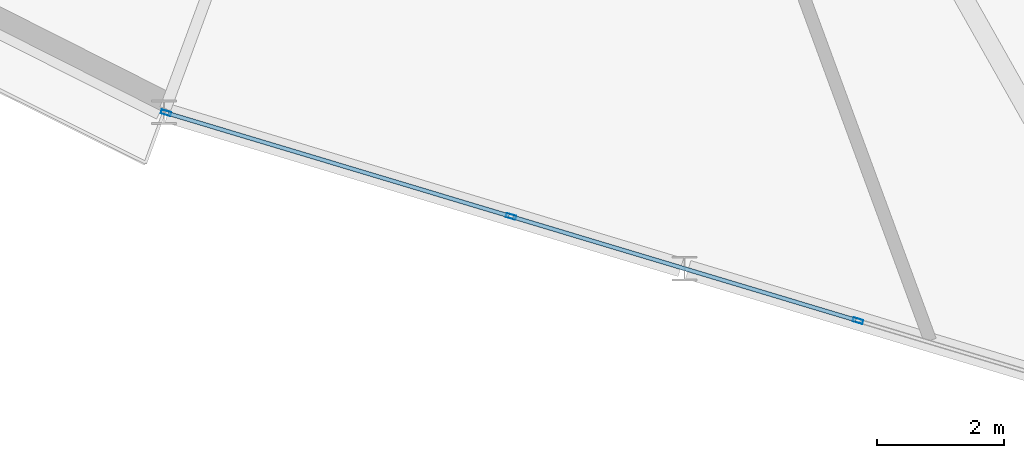
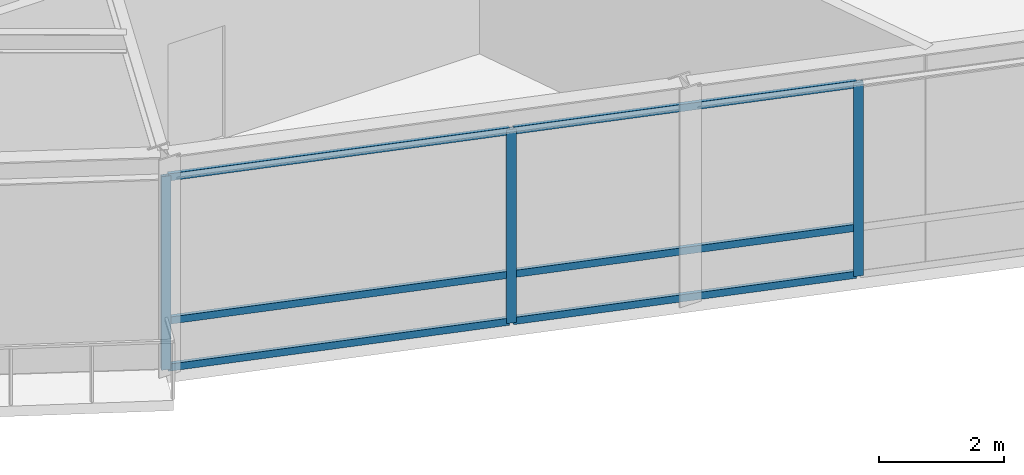
# One storey, part 4 of 23: 9 members, 1 element without a shape of its own.
"""IFC4 building model written with IfcOpenShell, lengths in metres."""

from ifc_helpers import new_model, si_unit, direction, frame, origin, origin_2d, place, context, subcontext, project, spatial, hollow_rectangle, extrude, source, transform, mapped, material, material_profile, profile_set, type_object, element, aggregate, save


model = new_model("IFC4")

# Units and contexts
model_context = context("Model", 3, precision=1e-05, world=origin(), true_north=direction((0.0, 1.0)))
body_context = subcontext(model_context, "Body", "Model", "MODEL_VIEW")
ifc_project = project(units=[si_unit("LENGTHUNIT", "METRE"), si_unit("AREAUNIT", "SQUARE_METRE"), si_unit("VOLUMEUNIT", "CUBIC_METRE"), si_unit("PLANEANGLEUNIT", "RADIAN"), si_unit("MASSUNIT", "GRAM", prefix="KILO")], contexts=[model_context])

# Site, building, storey
site_placement = place(None, origin())
site = spatial("IfcSite", under=ifc_project, at=site_placement, CompositionType="ELEMENT")
building_placement = place(site_placement, origin())
building = spatial("IfcBuilding", under=site, at=building_placement, Name="Olszyna Solenne Hotel", CompositionType="ELEMENT")
storey_placement = place(building_placement, frame((0.0, 0.0, 290.5)))
storey = spatial("IfcBuildingStorey", under=building, at=storey_placement, Name="L77", CompositionType="ELEMENT", Elevation=290.5)

# Curtain wall, members
ifc_material = material(Name="Anodised bronze aluminium", Category="aluminium")
curtain_wall_type = type_object("IfcCurtainWallType", Name="CW-SYS-7", PredefinedType="NOTDEFINED", material=ifc_material)
curtain_wall_placement = place(storey_placement, origin())
curtain_wall = element("IfcCurtainWall", 1, at=curtain_wall_placement, inside=storey, type_object=curtain_wall_type, Name="Unitised curtain wall CW-SYS-7 CW-L77-01", PredefinedType="NOTDEFINED")
ifc_material_profile_1 = material_profile(ifc_material, hollow_rectangle(XDim=0.06494140625, YDim=0.159912109375, WallThickness=0.00390625, at=origin_2d()), Name="MULL 160x65x4", Category="load-bearing")
ifc_profile_set_1 = profile_set([ifc_material_profile_1], Name="Anodised bronze aluminium")
member_type_1 = type_object("IfcMemberType", Name="CW-M3", PredefinedType="MULLION", material=ifc_profile_set_1)
shared_shape_1 = source(origin(), body_context, "Body", "SweptSolid", [
    extrude(hollow_rectangle(XDim=0.06494140625, YDim=0.159912109375, WallThickness=0.00390625, at=origin_2d()), origin(), (0.0, 0.0, 1.0), 3.781982421875),
])
member_1_placement = place(storey_placement, frame((32.652587890625, 12.003173828125, 0.0), z_axis=(0.0, 0.0, 1.0), x_axis=(0.28772728269, 0.957712384172, 0.0)))
member_1 = element("IfcMember", 2, at=member_1_placement, type_object=member_type_1, Name="Curtain-wall mullion CW-M3 CM-L77-01-01", PredefinedType="MULLION", context=body_context, shape_type="MappedRepresentation", body=[
    mapped(shared_shape_1, transform((0.0, 0.0, 0.0), x_axis=(1.0, 0.0, 0.0), y_axis=(0.0, 1.0, 0.0), z_axis=(0.0, 0.0, 1.0), scale=1.0)),
])
member_2_placement = place(storey_placement, frame((38.08642578125, 10.37060546875, 0.0), z_axis=(0.0, 0.0, 1.0), x_axis=(0.28772728269, 0.957712384172, 0.0)))
member_2 = element("IfcMember", 3, at=member_2_placement, type_object=member_type_1, Name="Curtain-wall mullion CW-M3 CM-L77-01-02", PredefinedType="MULLION", context=body_context, shape_type="MappedRepresentation", body=[
    mapped(shared_shape_1, transform((0.0, 0.0, 0.0), x_axis=(1.0, 0.0, 0.0), y_axis=(0.0, 1.0, 0.0), z_axis=(0.0, 0.0, 1.0), scale=1.0)),
])
member_3_placement = place(storey_placement, frame((43.5517578125, 8.728759765625, 0.0), z_axis=(0.0, 0.0, 1.0), x_axis=(0.28772728269, 0.957712384172, 0.0)))
member_3 = element("IfcMember", 4, at=member_3_placement, type_object=member_type_1, Name="Curtain-wall mullion CW-M3 CM-L77-01-03", PredefinedType="MULLION", context=body_context, shape_type="MappedRepresentation", body=[
    mapped(shared_shape_1, transform((0.0, 0.0, 0.0), x_axis=(1.0, 0.0, 0.0), y_axis=(0.0, 1.0, 0.0), z_axis=(0.0, 0.0, 1.0), scale=1.0)),
])
ifc_material_profile_2 = material_profile(ifc_material, hollow_rectangle(XDim=0.06494140625, YDim=0.139892578125, WallThickness=0.00390625, at=origin_2d()), Name="TRAN 140x65x4", Category="load-bearing")
ifc_profile_set_2 = profile_set([ifc_material_profile_2], Name="Anodised bronze aluminium")
member_type_2 = type_object("IfcMemberType", Name="CW-T2", PredefinedType="USERDEFINED", material=ifc_profile_set_2)
shared_shape_2 = source(origin(), body_context, "Body", "SweptSolid", [
    extrude(hollow_rectangle(XDim=0.06494140625, YDim=0.139892578125, WallThickness=0.00390625, at=origin_2d()), origin(), (0.0, 0.0, 1.0), 5.609130859375),
])
member_4_placement = place(storey_placement, frame((32.68359375, 11.993896484375, 0.032470703125), z_axis=(0.957705205683, -0.287751175511, 0.0), x_axis=(0.287751175511, 0.957705205683, 0.0)))
member_4 = element("IfcMember", 5, at=member_4_placement, type_object=member_type_2, Name="Curtain-wall transom CW-T2 CT-L77-01-01", ObjectType="TRANSOM", PredefinedType="USERDEFINED", context=body_context, shape_type="MappedRepresentation", body=[
    mapped(shared_shape_2, transform((0.0, 0.0, 0.0), x_axis=(1.0, 0.0, 0.0), y_axis=(0.0, 1.0, 0.0), z_axis=(0.0, 0.0, 1.0), scale=1.0)),
])
member_5_placement = place(storey_placement, frame((32.68359375, 11.993896484375, 0.949951171875), z_axis=(0.957705205683, -0.287751175511, 0.0), x_axis=(0.287751175511, 0.957705205683, 0.0)))
member_5 = element("IfcMember", 6, at=member_5_placement, type_object=member_type_2, Name="Curtain-wall transom CW-T2 CT-L77-01-02", ObjectType="TRANSOM", PredefinedType="USERDEFINED", context=body_context, shape_type="MappedRepresentation", body=[
    mapped(shared_shape_2, transform((0.0, 0.0, 0.0), x_axis=(1.0, 0.0, 0.0), y_axis=(0.0, 1.0, 0.0), z_axis=(0.0, 0.0, 1.0), scale=1.0)),
])
member_6_placement = place(storey_placement, frame((32.68359375, 11.993896484375, 3.74951171875), z_axis=(0.957705205683, -0.287751175511, 0.0), x_axis=(0.287751175511, 0.957705205683, 0.0)))
member_6 = element("IfcMember", 7, at=member_6_placement, type_object=member_type_2, Name="Curtain-wall transom CW-T2 CT-L77-01-03", ObjectType="TRANSOM", PredefinedType="USERDEFINED", context=body_context, shape_type="MappedRepresentation", body=[
    mapped(shared_shape_2, transform((0.0, 0.0, 0.0), x_axis=(1.0, 0.0, 0.0), y_axis=(0.0, 1.0, 0.0), z_axis=(0.0, 0.0, 1.0), scale=1.0)),
])
shared_shape_3 = source(origin(), body_context, "Body", "SweptSolid", [
    extrude(hollow_rectangle(XDim=0.06494140625, YDim=0.139892578125, WallThickness=0.00390625, at=origin_2d()), origin(), (0.0, 0.0, 1.0), 5.641357421875),
])
member_7_placement = place(storey_placement, frame((38.11767578125, 10.361328125, 0.032470703125), z_axis=(0.957707093531, -0.287744892223, 0.0), x_axis=(0.287744892223, 0.957707093531, 0.0)))
member_7 = element("IfcMember", 8, at=member_7_placement, type_object=member_type_2, Name="Curtain-wall transom CW-T2 CT-L77-01-04", ObjectType="TRANSOM", PredefinedType="USERDEFINED", context=body_context, shape_type="MappedRepresentation", body=[
    mapped(shared_shape_3, transform((0.0, 0.0, 0.0), x_axis=(1.0, 0.0, 0.0), y_axis=(0.0, 1.0, 0.0), z_axis=(0.0, 0.0, 1.0), scale=1.0)),
])
member_8_placement = place(storey_placement, frame((38.11767578125, 10.361328125, 0.949951171875), z_axis=(0.957707093531, -0.287744892223, 0.0), x_axis=(0.287744892223, 0.957707093531, 0.0)))
member_8 = element("IfcMember", 9, at=member_8_placement, type_object=member_type_2, Name="Curtain-wall transom CW-T2 CT-L77-01-05", ObjectType="TRANSOM", PredefinedType="USERDEFINED", context=body_context, shape_type="MappedRepresentation", body=[
    mapped(shared_shape_3, transform((0.0, 0.0, 0.0), x_axis=(1.0, 0.0, 0.0), y_axis=(0.0, 1.0, 0.0), z_axis=(0.0, 0.0, 1.0), scale=1.0)),
])
member_9_placement = place(storey_placement, frame((38.11767578125, 10.361328125, 3.74951171875), z_axis=(0.957707093531, -0.287744892223, 0.0), x_axis=(0.287744892223, 0.957707093531, 0.0)))
member_9 = element("IfcMember", 10, at=member_9_placement, type_object=member_type_2, Name="Curtain-wall transom CW-T2 CT-L77-01-06", ObjectType="TRANSOM", PredefinedType="USERDEFINED", context=body_context, shape_type="MappedRepresentation", body=[
    mapped(shared_shape_3, transform((0.0, 0.0, 0.0), x_axis=(1.0, 0.0, 0.0), y_axis=(0.0, 1.0, 0.0), z_axis=(0.0, 0.0, 1.0), scale=1.0)),
])
aggregate(curtain_wall, [member_1, member_2, member_3, member_4, member_5, member_6, member_7, member_8, member_9])

save(model, "model.ifc")
